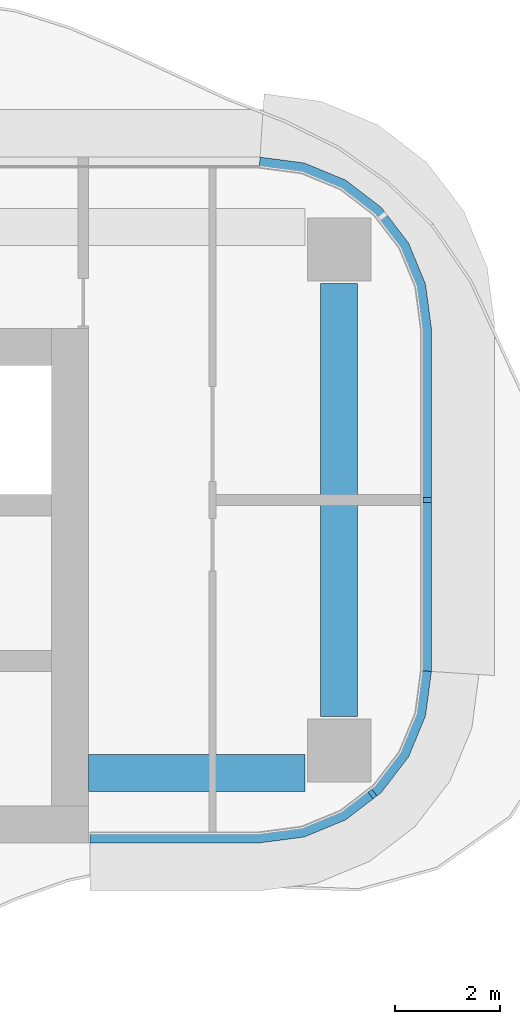
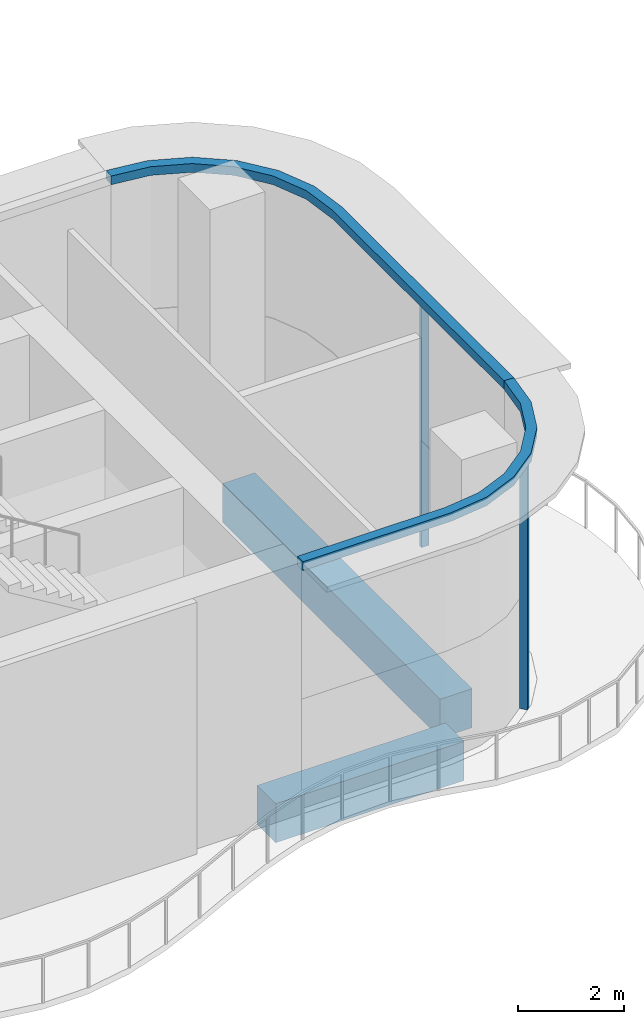
# One storey, part 5 of 19: 4 members, 2 beams, 2 elements without a shape of their own.
"""IFC4 building model written with IfcOpenShell, lengths in metres."""

from ifc_helpers import new_model, si_unit, direction, frame, origin, origin_2d, place, context, subcontext, project, spatial, polyline, rectangle, outline, extrude, source, transform, mapped, material, layer, layer_set, material_profile, profile_set, type_object, element, aggregate, save


model = new_model("IFC4")

# Units and contexts
model_context = context("Model", 3, precision=1e-05, world=origin(), true_north=direction((0.0, 1.0)))
body_context = subcontext(model_context, "Body", "Model", "MODEL_VIEW")
ifc_project = project(units=[si_unit("LENGTHUNIT", "METRE"), si_unit("AREAUNIT", "SQUARE_METRE"), si_unit("VOLUMEUNIT", "CUBIC_METRE"), si_unit("PLANEANGLEUNIT", "RADIAN"), si_unit("MASSUNIT", "GRAM", prefix="KILO")], contexts=[model_context])

# Site, building, storey
site_placement = place(None, origin())
site = spatial("IfcSite", under=ifc_project, at=site_placement, CompositionType="ELEMENT")
building_placement = place(site_placement, origin())
building = spatial("IfcBuilding", under=site, at=building_placement, Name="Trellis Farm Tower", CompositionType="ELEMENT")
storey_placement = place(building_placement, frame((0.0, 0.0, 156.0)))
storey = spatial("IfcBuildingStorey", under=building, at=storey_placement, Name="L33", CompositionType="ELEMENT", Elevation=156.0)

# Curtain wall, member
ifc_material_1 = material(Name="Aluminium and glass curtain wall", Category="aluminium")
ifc_layer_1 = layer(ifc_material_1, 0.196044921875)
ifc_layer_set_1 = layer_set([ifc_layer_1], Name="LOUVRED GLASS CURTAIN WALL CW6")
curtain_wall_type = type_object("IfcCurtainWallType", Name="LOUVRED GLASS CURTAIN WALL CW6", PredefinedType="NOTDEFINED", material=ifc_layer_set_1)
placement_1 = place(storey_placement, origin())
curtain_wall_1 = element("IfcCurtainWall", 1, at=placement_1, inside=storey, type_object=curtain_wall_type, Name="CW6 007", PredefinedType="NOTDEFINED")
ifc_material_2 = material(Name="Aluminium extrusion 6063-T6", Category="aluminium")
ifc_layer_2 = layer(ifc_material_2, 0.2099609375)
ifc_layer_set_2 = layer_set([ifc_layer_2], Name="Aluminium extrusion 6063-T6")
member_type_1 = type_object("IfcMemberType", Name="CW6 TRANSOM 210x200", PredefinedType="USERDEFINED", material=ifc_layer_set_2)
placement_2 = place(storey_placement, frame((0.0, 0.0, 5.60009765625)))
member_1 = element("IfcMember", 2, at=placement_2, type_object=member_type_1, Name="TR6 007", ObjectType="TRANSOM", PredefinedType="USERDEFINED", context=body_context, shape_type="SweptSolid", body=[
    extrude(outline(polyline([(22.780029296875, -6.5), (26.0, -6.5), (26.841064453125, -6.38916015625), (27.625, -6.064697265625), (28.298095703125, -5.548095703125), (28.814697265625, -4.875), (29.13916015625, -4.091064453125), (29.25, -3.25), (29.0400390625, -3.236328125), (28.9345703125, -4.036376953125), (28.631103515625, -4.76904296875), (28.1484375, -5.3984375), (27.51904296875, -5.881103515625), (26.786376953125, -6.1845703125), (25.986328125, -6.2900390625), (22.780029296875, -6.2900390625), (22.780029296875, -6.5)])), origin(), (0.0, 0.0, 1.0), 0.199951171875),
])

curtain_wall_2 = element("IfcCurtainWall", 3, at=placement_1, inside=storey, type_object=curtain_wall_type, Name="CW6 008", PredefinedType="NOTDEFINED")
member_2 = element("IfcMember", 4, at=placement_2, type_object=member_type_1, Name="TR6 008", ObjectType="TRANSOM", PredefinedType="USERDEFINED", context=body_context, shape_type="SweptSolid", body=[
    extrude(outline(polyline([(29.25, -3.25), (29.25, 3.25), (29.13916015625, 4.091064453125), (28.814697265625, 4.875), (28.298095703125, 5.548095703125), (27.625, 6.064697265625), (26.841064453125, 6.38916015625), (26.0, 6.5), (25.986328125, 6.2900390625), (26.786376953125, 6.1845703125), (27.51904296875, 5.881103515625), (28.1484375, 5.3984375), (28.631103515625, 4.76904296875), (28.9345703125, 4.036376953125), (29.0400390625, 3.236328125), (29.0400390625, -3.236328125), (29.25, -3.25)])), origin(), (0.0, 0.0, 1.0), 0.199951171875),
])

# Beams
ifc_material_3 = material(Name="Concrete C60/75", Category="concrete")
ifc_material_profile_1 = material_profile(ifc_material_3, rectangle(XDim=0.699951171875, YDim=0.89990234375, at=origin_2d()), Name="RC spandrel beam 700x900 C60/75")
ifc_profile_set_1 = profile_set([ifc_material_profile_1], Name="Concrete C60/75")
beam_type = type_object("IfcBeamType", Name="RC spandrel beam 700x900 C60/75", PredefinedType="SPANDREL", material=ifc_profile_set_1)
shared_shape_1 = source(origin(), body_context, "Body", "SweptSolid", [
    extrude(rectangle(XDim=0.699951171875, YDim=0.89990234375, at=origin_2d()), origin(), (0.0, 0.0, 1.0), 8.2001953125),
])
beam_1_placement = place(storey_placement, frame((27.5, -4.10009765625, -0.800048828125), z_axis=(0.0, 1.0, 0.0), x_axis=(-1.0, 0.0, 0.0)))
element("IfcBeam", 5, at=beam_1_placement, inside=storey, type_object=beam_type, Name="Girder", PredefinedType="SPANDREL", context=body_context, shape_type="MappedRepresentation", body=[
    mapped(shared_shape_1, transform((0.0, 0.0, 0.0))),
])
shared_shape_2 = source(origin(), body_context, "Body", "SweptSolid", [
    extrude(rectangle(XDim=0.699951171875, YDim=0.89990234375, at=origin_2d()), origin(), (0.0, 0.0, 1.0), 4.10009765625),
])
beam_2_placement = place(storey_placement, frame((22.75, -5.175048828125, -0.800048828125), z_axis=(1.0, 0.0, 0.0), x_axis=(0.0, 1.0, 0.0)))
element("IfcBeam", 6, at=beam_2_placement, inside=storey, type_object=beam_type, Name="Girder", PredefinedType="SPANDREL", context=body_context, shape_type="MappedRepresentation", body=[
    mapped(shared_shape_2, transform((0.0, 0.0, 0.0))),
])

# Member
ifc_material_profile_2 = material_profile(ifc_material_2, rectangle(XDim=0.090087890625, YDim=0.159912109375, at=origin_2d()), Name="MULLION 90x160")
ifc_profile_set_2 = profile_set([ifc_material_profile_2], Name="Aluminium extrusion 6063-T6")
member_type_2 = type_object("IfcMemberType", Name="CW6 MULLION 90x160", PredefinedType="MULLION", material=ifc_profile_set_2)
shared_shape_3 = source(origin(), body_context, "Body", "SweptSolid", [
    extrude(rectangle(XDim=0.090087890625, YDim=0.159912109375, at=origin_2d()), origin(), (0.0, 0.0, 1.0), 5.60009765625),
])
member_3_placement = place(storey_placement, frame((28.132568359375, -5.57421875, 0.0), z_axis=(0.0, 0.0, 1.0), x_axis=(0.793353340291, 0.608761429009, 0.0)))
member_3 = element("IfcMember", 7, at=member_3_placement, type_object=member_type_2, Name="MU6 007-01", PredefinedType="MULLION", context=body_context, shape_type="MappedRepresentation", body=[
    mapped(shared_shape_3, transform((0.0, 0.0, 0.0))),
])

aggregate(curtain_wall_1, [member_3, member_1])

member_4_placement = place(storey_placement, frame((29.169921875, 0.0, 0.0), z_axis=(0.0, 0.0, 1.0), x_axis=(0.0, 1.0, 0.0)))
member_4 = element("IfcMember", 8, at=member_4_placement, type_object=member_type_2, Name="MU6 008-01", PredefinedType="MULLION", context=body_context, shape_type="MappedRepresentation", body=[
    mapped(shared_shape_3, transform((0.0, 0.0, 0.0))),
])

aggregate(curtain_wall_2, [member_4, member_2])

save(model, "model.ifc")
